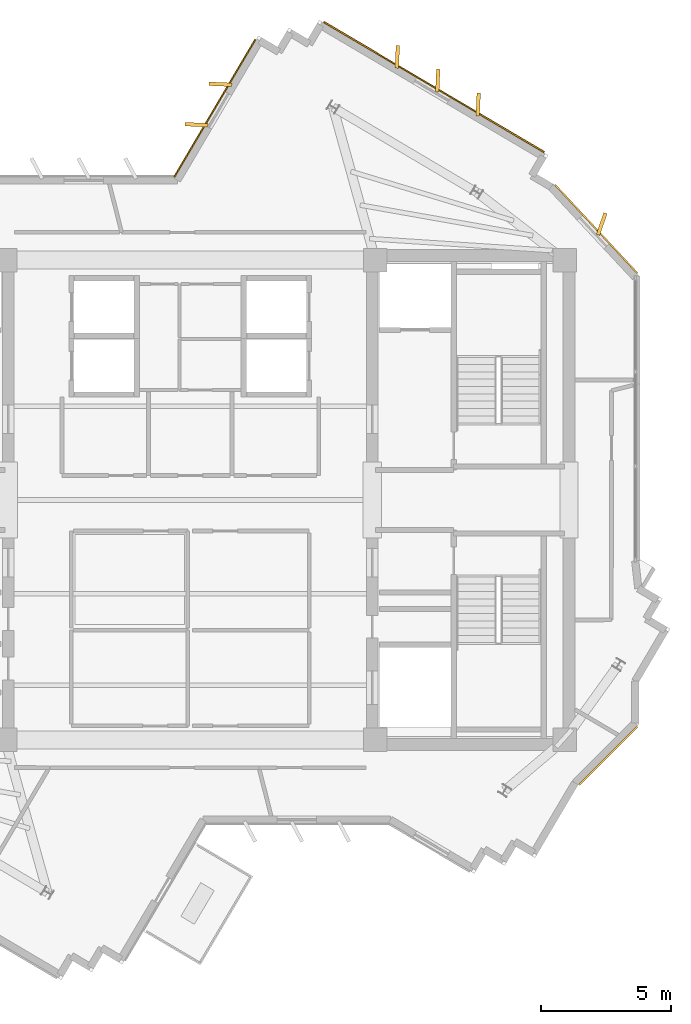
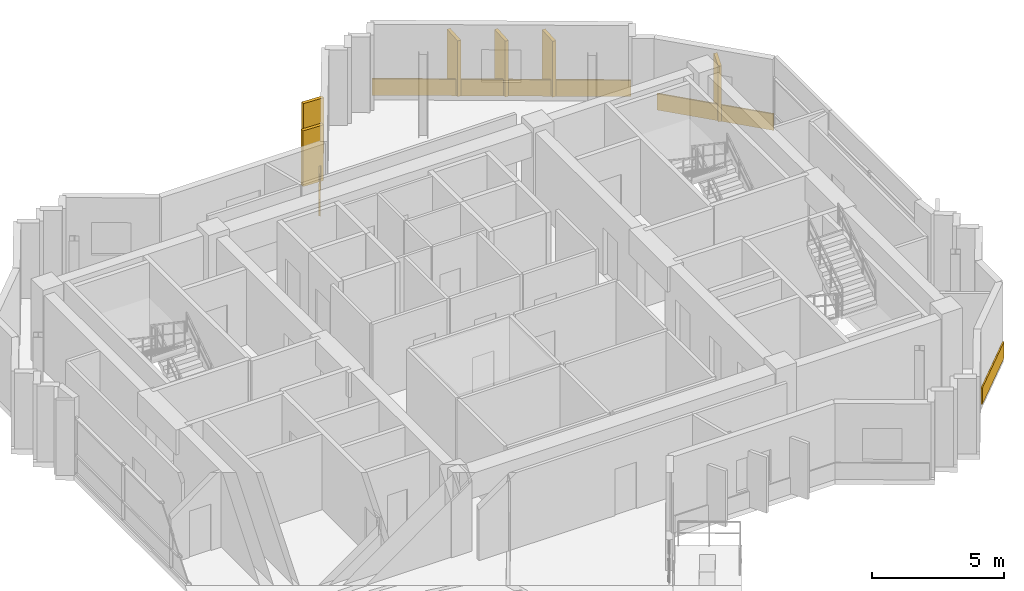
# One storey, part 10 of 10: 10 coverings.
"""IFC4 building model written with IfcOpenShell, lengths in metres."""

import ifcopenshell
import ifcopenshell.guid

model = None  # the IFC model being written
_history = None  # IfcOwnerHistory: only IFC2X3 demands one
_inside = {}  # id of a spatial element -> (the spatial element, [elements in it])
_under = {}  # id of a project, library or spatial element -> (it, [spatial elements below it])
_declared = {}  # id of a project -> (the project, [libraries it declares])
_typed = {}  # id of a type object -> (the type object, [elements of that type])
_made_of = {}  # id of a material, layer set ... -> (it, [elements and type objects made of it])


def new_model(schema):
    """Start an empty IFC model of exactly this schema.

    Asked for "IFC4X3", IfcOpenShell would pick the latest addendum, in which some entities
    have other attributes; the version numbers below select the first issue.
    IFC2X3 requires an IfcOwnerHistory on every rooted entity: one is made here for all.
    """
    global model, _history
    if schema == "IFC4X3":
        model = ifcopenshell.file(schema_version=(4, 3, 0, 0))
    else:
        model = ifcopenshell.file(schema=schema)
    _inside.clear()
    _under.clear()
    _declared.clear()
    _typed.clear()
    _made_of.clear()
    _history = None
    if model.schema == "IFC2X3":
        org = make("IfcOrganization", Name="unknown")
        user = make(
            "IfcPersonAndOrganization",
            ThePerson=make("IfcPerson", FamilyName="unknown"),
            TheOrganization=org,
        )
        app = make(
            "IfcApplication",
            ApplicationDeveloper=org,
            Version="unknown",
            ApplicationFullName="unknown",
            ApplicationIdentifier="unknown",
        )
        _history = make(
            "IfcOwnerHistory",
            OwningUser=user,
            OwningApplication=app,
            ChangeAction="ADDED",
            CreationDate=0,
        )
    return model


def make(cls, **values):
    """One entity of the class cls with the attributes given. An attribute that is None is left unset."""
    return model.create_entity(
        cls, **{name: value for name, value in values.items() if value is not None}
    )


def rooted(cls, **values):
    """An entity with a GlobalId (a new one), such as an element, a storey or a relation."""
    return make(cls, GlobalId=ifcopenshell.guid.new(), OwnerHistory=_history, **values)


def si_unit(unit_type, name, prefix=None):
    """IfcSIUnit, for example si_unit("LENGTHUNIT", "METRE", prefix="MILLI")."""
    return make("IfcSIUnit", UnitType=unit_type, Prefix=prefix, Name=name)


def assignment(units):
    """IfcUnitAssignment: the units of a project."""
    return None if units is None else make("IfcUnitAssignment", Units=units)


def point(xyz):
    """IfcCartesianPoint."""
    return None if xyz is None else make("IfcCartesianPoint", Coordinates=xyz)


def direction(xyz):
    """IfcDirection."""
    return None if xyz is None else make("IfcDirection", DirectionRatios=xyz)


def frame(location, z_axis=None, x_axis=None):
    """IfcAxis2Placement3D, a coordinate frame: its origin and axes. An axis left out is left unset."""
    return make(
        "IfcAxis2Placement3D",
        Location=point(location),
        Axis=direction(z_axis),
        RefDirection=direction(x_axis),
    )


def frame_2d(location, x_axis=None):
    """IfcAxis2Placement2D, a coordinate frame in the plane: its origin and x axis."""
    return make(
        "IfcAxis2Placement2D", Location=point(location), RefDirection=direction(x_axis)
    )


def origin():
    """The frame at (0, 0, 0) with its axes left unset."""
    return frame((0.0, 0.0, 0.0))


def origin_2d():
    """The frame at (0, 0) in the plane with its x axis left unset."""
    return frame_2d((0.0, 0.0))


def place(relative_to, where):
    """IfcLocalPlacement: puts the frame where relative to a parent placement (None: the world)."""
    return make(
        "IfcLocalPlacement", PlacementRelTo=relative_to, RelativePlacement=where
    )


def context(
    kind, dimensions, precision=None, world=None, true_north=None, identifier=None
):
    """IfcGeometricRepresentationContext, for example the 3D "Model" context."""
    return make(
        "IfcGeometricRepresentationContext",
        ContextIdentifier=identifier,
        ContextType=kind,
        CoordinateSpaceDimension=dimensions,
        Precision=precision,
        WorldCoordinateSystem=world,
        TrueNorth=true_north,
    )


def subcontext(parent, identifier, kind, view, scale=None):
    """IfcGeometricRepresentationSubContext, for example "Body" below "Model"."""
    return make(
        "IfcGeometricRepresentationSubContext",
        ContextIdentifier=identifier,
        ContextType=kind,
        ParentContext=parent,
        TargetScale=scale,
        TargetView=view,
    )


def project(units=None, contexts=None):
    """IfcProject with its units and contexts."""
    return rooted(
        "IfcProject",
        Name="project",
        RepresentationContexts=contexts,
        UnitsInContext=assignment(units),
    )


def spatial(cls, under=None, at=None, **own):
    """A site, building, storey or space (cls), placed at a placement, below another one or the project."""
    s = rooted(cls, ObjectPlacement=at, **own)
    if under is not None:
        _under.setdefault(under.id(), (under, []))[1].append(s)
    return s


def profile(cls, at=None, kind="AREA", **sizes):
    """A parametric profile (cls). Its sizes go by their IFC names, for example OverallWidth=200.0."""
    return make(cls, ProfileType=kind, Position=at, **sizes)


def rectangle(**sizes):
    """IfcRectangleProfileDef."""
    return profile("IfcRectangleProfileDef", **sizes)


def extrude(swept, where, along, depth):
    """IfcExtrudedAreaSolid: the profile swept, set in the frame where, extruded along a direction by depth."""
    return make(
        "IfcExtrudedAreaSolid",
        SweptArea=swept,
        Position=where,
        ExtrudedDirection=direction(along),
        Depth=depth,
    )


def shape(context_of_items, identifier, shape_type, items):
    """IfcShapeRepresentation: the items that make up one representation, for example the "Body"."""
    return make(
        "IfcShapeRepresentation",
        ContextOfItems=context_of_items,
        RepresentationIdentifier=identifier,
        RepresentationType=shape_type,
        Items=items,
    )


def source(mapping_origin, context_of_items, identifier, shape_type, items):
    """IfcRepresentationMap: a shape defined once, which mapped items show again and again."""
    return make(
        "IfcRepresentationMap",
        MappingOrigin=mapping_origin,
        MappedRepresentation=shape(context_of_items, identifier, shape_type, items),
    )


def transform(
    local_origin,
    x_axis=None,
    y_axis=None,
    z_axis=None,
    scale=None,
    scale2=None,
    scale3=None,
    uniform=True,
):
    """IfcCartesianTransformationOperator3D, or its non-uniform kind. x_axis, y_axis, z_axis: its Axis1, 2, 3."""
    if uniform:
        return make(
            "IfcCartesianTransformationOperator3D",
            Axis1=direction(x_axis),
            Axis2=direction(y_axis),
            LocalOrigin=point(local_origin),
            Scale=scale,
            Axis3=direction(z_axis),
        )
    return make(
        "IfcCartesianTransformationOperator3DnonUniform",
        Axis1=direction(x_axis),
        Axis2=direction(y_axis),
        LocalOrigin=point(local_origin),
        Scale=scale,
        Axis3=direction(z_axis),
        Scale2=scale2,
        Scale3=scale3,
    )


def mapped(mapping_source, mapping_target):
    """IfcMappedItem: shows the shape of a source again, moved by a transform."""
    return make(
        "IfcMappedItem", MappingSource=mapping_source, MappingTarget=mapping_target
    )


def material(Name=None, Category=None):
    """IfcMaterial."""
    return make("IfcMaterial", Name=Name, Category=Category)


def layer(
    of_material, thickness, ventilated=None, Name=None, Category=None, Priority=None
):
    """IfcMaterialLayer: one layer of a wall or slab, of a material (None: an air gap)."""
    return make(
        "IfcMaterialLayer",
        Material=of_material,
        LayerThickness=thickness,
        IsVentilated=ventilated,
        Name=Name,
        Category=Category,
        Priority=Priority,
    )


def layer_set(layers, Name=None):
    """IfcMaterialLayerSet."""
    return make("IfcMaterialLayerSet", MaterialLayers=layers, LayerSetName=Name)


def made_of(thing, what):
    """Note that an element or type object is made of a material, layer set ...; save() writes the relation."""
    if what is not None:
        _made_of.setdefault(what.id(), (what, []))[1].append(thing)
    return thing


def type_object(cls, material=None, **own):
    """A type object (cls), such as IfcWallType, which elements share."""
    return made_of(rooted(cls, **own), material)


def element(
    cls,
    number,
    at=None,
    inside=None,
    cuts=None,
    type_object=None,
    material=None,
    context=None,
    identifier="Body",
    shape_type=None,
    held_by="IfcProductDefinitionShape",
    body=None,
    shapes=None,
    **own,
):
    """One element of the class cls, such as IfcWall. Its Tag is "e" and its number.

    at: its placement. inside: the storey or other place that contains it. cuts: it is an
    opening in that element (IfcRelVoidsElement). A single representation is given by context,
    identifier, shape_type and body (its items); several are given by shapes. held_by: the class
    of the entity that holds the representations. save() writes the other relations.
    """
    e = rooted(cls, Tag="e%d" % number, ObjectPlacement=at, **own)
    if body is not None:
        shapes = [shape(context, identifier, shape_type, body)]
    if shapes is not None:
        e.Representation = make(held_by, Representations=shapes)
    if inside is not None:
        _inside.setdefault(inside.id(), (inside, []))[1].append(e)
    if cuts is not None:
        rooted(
            "IfcRelVoidsElement", RelatingBuildingElement=cuts, RelatedOpeningElement=e
        )
    if type_object is not None:
        _typed.setdefault(type_object.id(), (type_object, []))[1].append(e)
    return made_of(e, material)


def aggregate(whole, parts):
    """IfcRelAggregates: a whole, such as a stair, and the parts it consists of."""
    return rooted("IfcRelAggregates", RelatingObject=whole, RelatedObjects=parts)


def save(model, path):
    """Write the relations noted so far, then the file.

    IfcRelAggregates (storeys below a building ...), IfcRelContainedInSpatialStructure (elements
    in a storey), IfcRelDefinesByType, IfcRelAssociatesMaterial and IfcRelDeclares: one each for
    every whole, place, type object, material and project.
    """
    for whole, parts in _under.values():
        aggregate(whole, parts)
    for where, things in _inside.values():
        rooted(
            "IfcRelContainedInSpatialStructure",
            RelatedElements=things,
            RelatingStructure=where,
        )
    for kind, things in _typed.values():
        rooted("IfcRelDefinesByType", RelatedObjects=things, RelatingType=kind)
    for what, things in _made_of.values():
        rooted("IfcRelAssociatesMaterial", RelatedObjects=things, RelatingMaterial=what)
    for by, libraries in _declared.values():
        rooted("IfcRelDeclares", RelatingContext=by, RelatedDefinitions=libraries)
    model.write(path)


model = new_model("IFC4")

# Units and contexts
model_context = context("Model", 3, precision=1e-05, world=origin(), true_north=direction((0.0, 1.0)))
body_context = subcontext(model_context, "Body", "Model", "MODEL_VIEW")
ifc_project = project(units=[si_unit("LENGTHUNIT", "METRE"), si_unit("AREAUNIT", "SQUARE_METRE"), si_unit("VOLUMEUNIT", "CUBIC_METRE"), si_unit("PLANEANGLEUNIT", "RADIAN"), si_unit("MASSUNIT", "GRAM", prefix="KILO")], contexts=[model_context])

# Site, building, storey
site_placement = place(None, origin())
site = spatial("IfcSite", under=ifc_project, at=site_placement, CompositionType="ELEMENT")
building_placement = place(site_placement, origin())
building = spatial("IfcBuilding", under=site, at=building_placement, Name="Zahravan Cultural Tower", CompositionType="ELEMENT")
storey_placement = place(building_placement, frame((0.0, 0.0, 349.800048828125)))
storey = spatial("IfcBuildingStorey", under=building, at=storey_placement, Name="L85", CompositionType="ELEMENT", Elevation=349.800048828125)

# Coverings
ifc_material = material(Name="Terracotta ceramic cladding", Category="masonry")
ifc_layer = layer(ifc_material, 0.06005859375)
ifc_layer_set = layer_set([ifc_layer], Name="Terracotta ceramic cladding")
covering_type = type_object("IfcCoveringType", Name="COV-CLAD-TC60", PredefinedType="CLADDING", material=ifc_layer_set)
shared_shape_1 = source(origin(), body_context, "Body", "SweptSolid", [
    extrude(rectangle(XDim=9.820068359375, YDim=0.06005859375, at=origin_2d()), origin(), (0.0, 0.0, 1.0), 0.760009765625),
])
covering_1_placement = place(storey_placement, frame((45.344970703125, 42.8330078125, 0.02001953125), z_axis=(0.0, 0.0, 1.0), x_axis=(0.861185921638, -0.508290082898, 0.0)))
element("IfcCovering", 1, at=covering_1_placement, inside=storey, type_object=covering_type, Name="L85 Terracotta Spandrel Cladding 06", PredefinedType="CLADDING", context=body_context, shape_type="MappedRepresentation", body=[
    mapped(shared_shape_1, transform((0.0, 0.0, 0.0), x_axis=(1.0, 0.0, 0.0), y_axis=(0.0, 1.0, 0.0), z_axis=(0.0, 0.0, 1.0), scale=1.0)),
])
shared_shape_2 = source(origin(), body_context, "Body", "SweptSolid", [
    extrude(rectangle(XDim=0.8798828125, YDim=0.139892578125, at=origin_2d()), origin(), (0.0, 0.0, 1.0), 2.580078125),
])
for number, where, z_axis, x_axis, name in (
    (2, (36.237060546875, 41.3896484375, 0.0498046875), (0.0, 0.0, 1.0), (-0.999010552447, 0.044473768672, 0.0), "L85 Herringbone Terracotta Fin 01"),
    (3, (37.15185546875, 42.939697265625, 0.0498046875), (0.0, 0.0, 1.0), (-0.999010552447, 0.044473768672, 0.0), "L85 Herringbone Terracotta Fin 02"),
    (4, (43.939697265625, 43.993408203125, 0.0498046875), (0.0, 0.0, 1.0), (0.044491204688, 0.999009776081, 0.0), "L85 Herringbone Terracotta Fin 03"),
    (5, (45.48974609375, 43.078369140625, 0.0498046875), (0.0, 0.0, 1.0), (0.044491204688, 0.999009776081, 0.0), "L85 Herringbone Terracotta Fin 04"),
    (6, (47.0400390625, 42.16357421875, 0.0498046875), (0.0, 0.0, 1.0), (0.044491204688, 0.999009776081, 0.0), "L85 Herringbone Terracotta Fin 05"),
    (7, (51.775390625, 37.58056640625, 0.0498046875), (0.0, 0.0, 1.0), (0.32591468324, 0.945399185132, 0.0), "L85 Herringbone Terracotta Fin 06"),
):
    element("IfcCovering", number, at=place(storey_placement, frame(where, z_axis=z_axis, x_axis=x_axis)), inside=storey, type_object=covering_type, Name=name, PredefinedType="CLADDING", context=body_context, shape_type="MappedRepresentation", body=[
        mapped(shared_shape_2, transform((0.0, 0.0, 0.0), x_axis=(1.0, 0.0, 0.0), y_axis=(0.0, 1.0, 0.0), z_axis=(0.0, 0.0, 1.0), scale=1.0)),
    ])
shared_shape_3 = source(origin(), body_context, "Body", "SweptSolid", [
    extrude(rectangle(XDim=6.11474609375, YDim=0.06005859375, at=origin_2d()), origin(), (0.0, 0.0, 1.0), 0.760009765625),
])
covering_2_placement = place(storey_placement, frame((36.93994140625, 42.02001953125, 0.02001953125), z_axis=(0.0, 0.0, 1.0), x_axis=(0.508275052291, 0.861194792842, 0.0)))
element("IfcCovering", 8, at=covering_2_placement, inside=storey, type_object=covering_type, Name="L85 Terracotta Spandrel Cladding 01", PredefinedType="CLADDING", context=body_context, shape_type="MappedRepresentation", body=[
    mapped(shared_shape_3, transform((0.0, 0.0, 0.0), x_axis=(1.0, 0.0, 0.0), y_axis=(0.0, 1.0, 0.0), z_axis=(0.0, 0.0, 1.0), scale=1.0)),
])
shared_shape_4 = source(origin(), body_context, "Body", "SweptSolid", [
    extrude(rectangle(XDim=4.63427734375, YDim=0.06005859375, at=origin_2d()), origin(), (0.0, 0.0, 1.0), 0.760009765625),
])
covering_3_placement = place(storey_placement, frame((51.56689453125, 37.38623046875, 0.02001953125), z_axis=(0.0, 0.0, 1.0), x_axis=(0.681730259128, -0.731603617944, 0.0)))
element("IfcCovering", 9, at=covering_3_placement, inside=storey, type_object=covering_type, Name="L85 Terracotta Spandrel Cladding 09", PredefinedType="CLADDING", context=body_context, shape_type="MappedRepresentation", body=[
    mapped(shared_shape_4, transform((0.0, 0.0, 0.0), x_axis=(1.0, 0.0, 0.0), y_axis=(0.0, 1.0, 0.0), z_axis=(0.0, 0.0, 1.0), scale=1.0)),
])
shared_shape_5 = source(origin(), body_context, "Body", "SweptSolid", [
    extrude(rectangle(XDim=3.160400390625, YDim=0.06005859375, at=origin_2d()), origin(), (0.0, 0.0, 1.0), 0.760009765625),
])
covering_4_placement = place(storey_placement, frame((52.02392578125, 17.1884765625, 0.02001953125), z_axis=(0.0, 0.0, 1.0), x_axis=(-0.707094439737, -0.70711912242, 0.0)))
element("IfcCovering", 10, at=covering_4_placement, inside=storey, type_object=covering_type, Name="L85 Terracotta Spandrel Cladding 16", PredefinedType="CLADDING", context=body_context, shape_type="MappedRepresentation", body=[
    mapped(shared_shape_5, transform((0.0, 0.0, 0.0), x_axis=(1.0, 0.0, 0.0), y_axis=(0.0, 1.0, 0.0), z_axis=(0.0, 0.0, 1.0), scale=1.0)),
])

save(model, "model.ifc")
